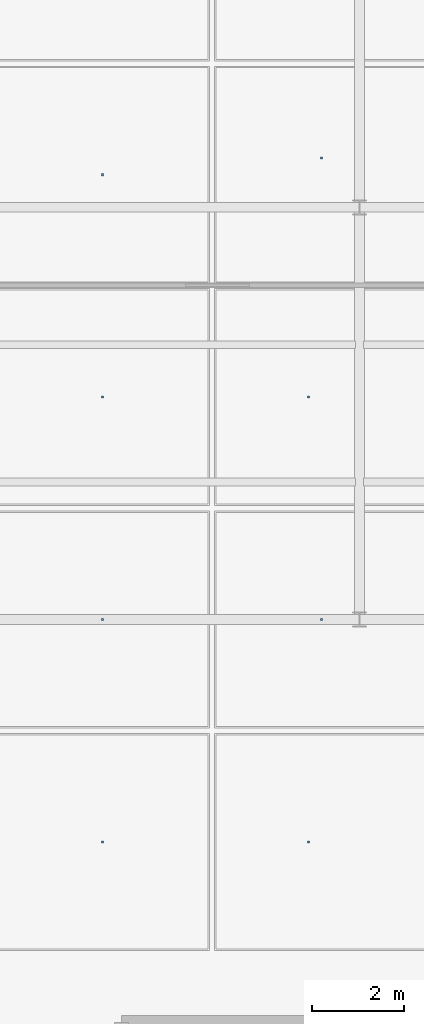
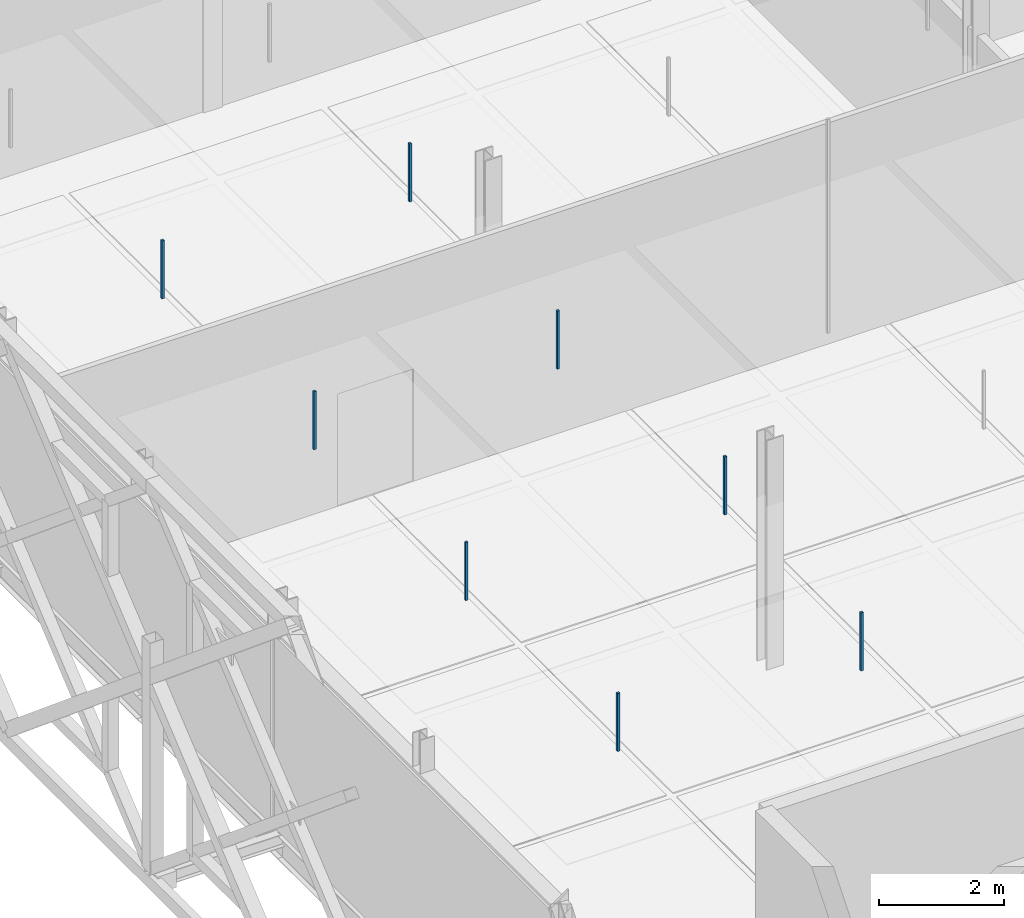
# One storey, part 47 of 66: 8 discrete accessories.
"""IFC4 building model written with IfcOpenShell, lengths in metres."""

from ifc_helpers import new_model, si_unit, direction, frame, origin, origin_2d, place, context, subcontext, project, spatial, rectangle, extrude, material, type_object, element, save


model = new_model("IFC4")

# Units and contexts
model_context = context("Model", 3, precision=1e-05, world=origin(), true_north=direction((0.0, 1.0)))
body_context = subcontext(model_context, "Body", "Model", "MODEL_VIEW")
ifc_project = project(units=[si_unit("LENGTHUNIT", "METRE"), si_unit("AREAUNIT", "SQUARE_METRE"), si_unit("VOLUMEUNIT", "CUBIC_METRE"), si_unit("PLANEANGLEUNIT", "RADIAN"), si_unit("MASSUNIT", "GRAM", prefix="KILO"), si_unit("THERMODYNAMICTEMPERATUREUNIT", "KELVIN"), si_unit("POWERUNIT", "WATT")], contexts=[model_context])

# Site, building, storey
site_placement = place(None, origin())
site = spatial("IfcSite", under=ifc_project, at=site_placement, CompositionType="ELEMENT")
building_placement = place(site_placement, origin())
building = spatial("IfcBuilding", under=site, at=building_placement, Name="Tallowbark Science Centre", CompositionType="ELEMENT")
storey_placement = place(building_placement, frame((0.0, 0.0, 18.89990234375)))
storey = spatial("IfcBuildingStorey", under=building, at=storey_placement, Name="L04", CompositionType="ELEMENT", Elevation=18.89990234375)

# Discrete accessories
ifc_material = material(Name="Galvanised Steel Grade C350L0 (350 MPa)", Category="steel")
discrete_accessory_type = type_object("IfcDiscreteAccessoryType", Name="ACC-CLG-HNG", PredefinedType="BRACKET", material=ifc_material)
for number, where, z_axis, x_axis, name in (
    (1, (61.888916015625, 17.642822265625, 3.20947265625), (0.0, 0.0, 1.0), (1.0, 0.0, 0.0), "Ceiling Hanger Bracket L04-1068"),
    (2, (61.888916015625, 22.5, 3.20947265625), (0.0, 0.0, 1.0), (1.0, 0.0, 0.0), "Ceiling Hanger Bracket L04-1069"),
    (3, (61.888916015625, 27.357177734375, 3.20947265625), (0.0, 0.0, 1.0), (1.0, 0.0, 0.0), "Ceiling Hanger Bracket L04-1070"),
    (4, (61.888916015625, 32.21435546875, 3.20947265625), (0.0, 0.0, 1.0), (1.0, 0.0, 0.0), "Ceiling Hanger Bracket L04-1071"),
    (5, (66.3837890625, 17.642822265625, 3.20947265625), (0.0, 0.0, 1.0), (1.0, 0.0, 0.0), "Ceiling Hanger Bracket L04-1073"),
    (6, (66.666748046875, 22.5, 3.20947265625), (0.0, 0.0, 1.0), (1.0, 0.0, 0.0), "Ceiling Hanger Bracket L04-1074"),
    (7, (66.3837890625, 27.357177734375, 3.20947265625), (0.0, 0.0, 1.0), (1.0, 0.0, 0.0), "Ceiling Hanger Bracket L04-1075"),
    (8, (66.666748046875, 32.576416015625, 3.20947265625), (0.0, 0.0, 1.0), (1.0, 0.0, 0.0), "Ceiling Hanger Bracket L04-1076"),
):
    element("IfcDiscreteAccessory", number, at=place(storey_placement, frame(where, z_axis=z_axis, x_axis=x_axis)), inside=storey, type_object=discrete_accessory_type, Name=name, PredefinedType="BRACKET", context=body_context, shape_type="SweptSolid", body=[
        extrude(rectangle(XDim=0.044921875, YDim=0.044921875, at=origin_2d()), origin(), (0.0, 0.0, 1.0), 1.133544921875),
    ])

save(model, "model.ifc")
